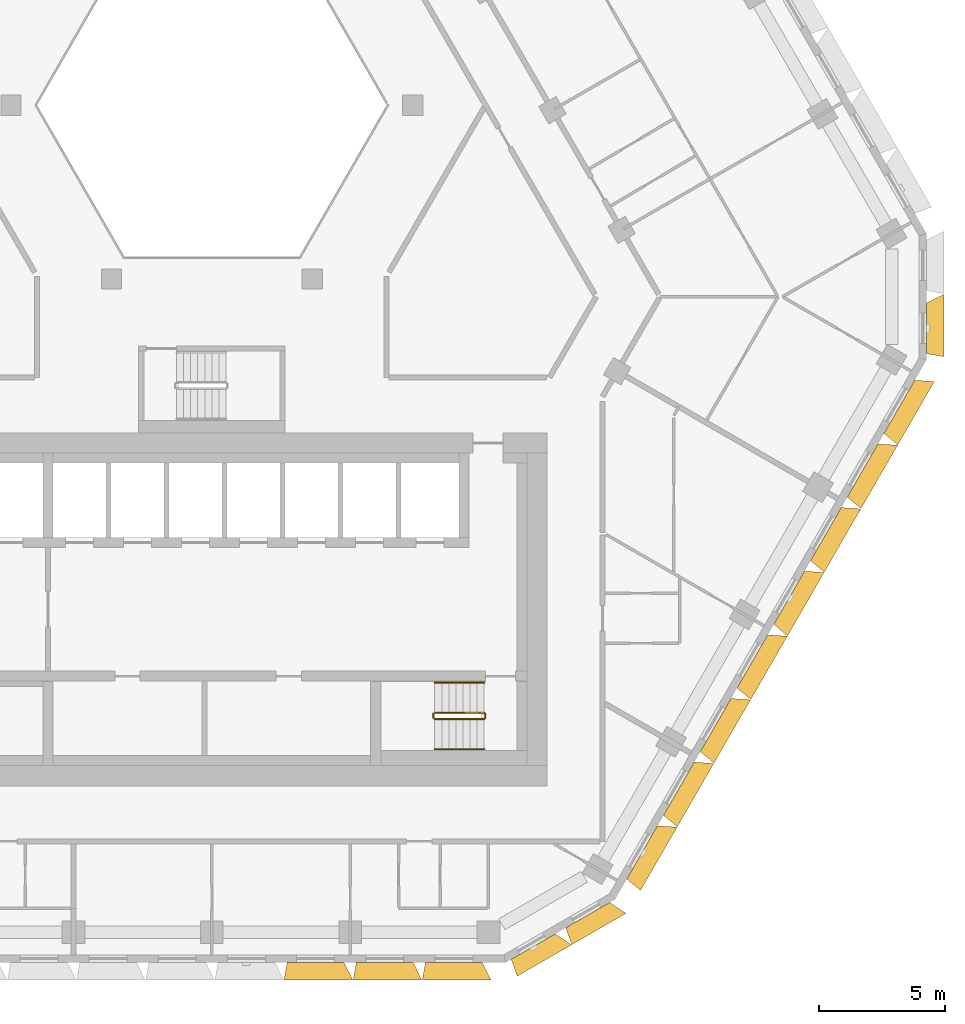
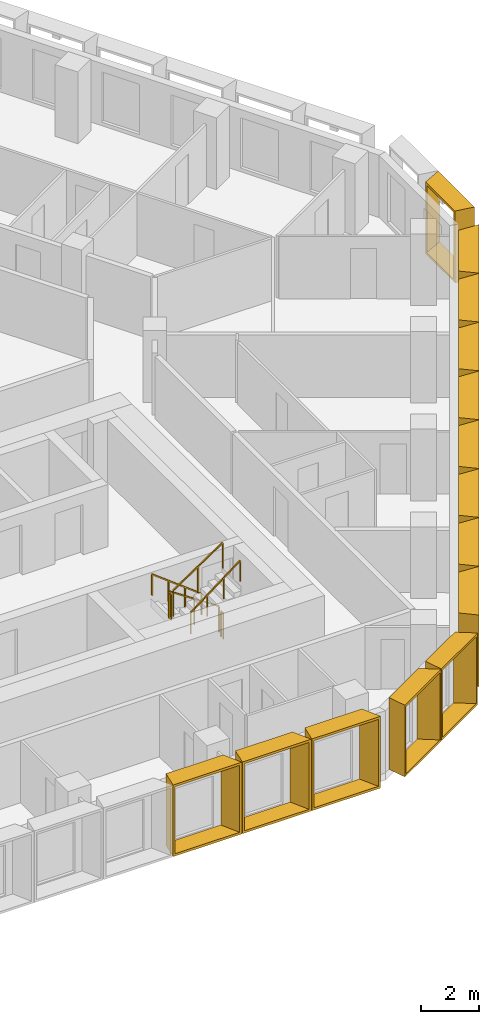
# One storey, part 16 of 17: 14 shading devices, 6 railings.
"""IFC4 building model written with IfcOpenShell, lengths in metres."""

from ifc_helpers import new_model, entity, si_unit, direction, frame, origin, origin_2d, place, context, subcontext, project, spatial, rectangle, extrude, source, transform, mapped, material, type_object, type_shapes, element, save


model = new_model("IFC4")

# Units and contexts
model_context = context("Model", 3, precision=1e-05, world=origin(), true_north=direction((0.0, 1.0)))
body_context = subcontext(model_context, "Body", "Model", "MODEL_VIEW")
ifc_project = project(units=[si_unit("LENGTHUNIT", "METRE"), si_unit("AREAUNIT", "SQUARE_METRE"), si_unit("VOLUMEUNIT", "CUBIC_METRE"), si_unit("PLANEANGLEUNIT", "RADIAN"), si_unit("MASSUNIT", "GRAM", prefix="KILO")], contexts=[model_context])

# Site, building, storey
site_placement = place(None, origin())
site = spatial("IfcSite", under=ifc_project, at=site_placement, CompositionType="ELEMENT")
building_placement = place(site_placement, origin())
building = spatial("IfcBuilding", under=site, at=building_placement, Name="Beryl Residences", CompositionType="ELEMENT")
storey_placement = place(building_placement, frame((0.0, 0.0, 150.60009765625)))
storey = spatial("IfcBuildingStorey", under=building, at=storey_placement, Name="L46", CompositionType="ELEMENT", Elevation=150.60009765625)

# Shading devices
ifc_material_1 = material(Name="Aluminium pale anodised", Category="aluminium")
shading_device_type_1 = type_object("IfcShadingDeviceType", Name="FR250-70C OUTER SKIN frame 700 mm deep, splay 10/26 deg, 2500 x 3000 mm cell", PredefinedType="USERDEFINED", material=ifc_material_1)
cartesian_point_1 = entity("IfcCartesianPoint", [-1.007568359375, 0.0])
cartesian_point_2 = entity("IfcCartesianPoint", [-0.92626953125, 0.10009765625])
cartesian_point_3 = entity("IfcCartesianPoint", [-1.130859375, 0.0])
cartesian_point_4 = entity("IfcCartesianPoint", [-1.0498046875, 0.10009765625])
shared_shape_1 = source(origin(), body_context, "Body", "SweptSolid", [
    entity("IfcExtrudedAreaSolidTapered", entity("IfcArbitraryProfileDefWithVoids", "AREA", None, entity("IfcPolyline", [cartesian_point_1, entity("IfcCartesianPoint", [1.007568359375, 0.0]), entity("IfcCartesianPoint", [1.007568359375, 3.0]), entity("IfcCartesianPoint", [-1.007568359375, 3.0]), cartesian_point_1]), [entity("IfcPolyline", [cartesian_point_2, entity("IfcCartesianPoint", [0.91845703125, 0.10009765625]), entity("IfcCartesianPoint", [0.91845703125, 2.89990234375]), entity("IfcCartesianPoint", [-0.92626953125, 2.89990234375]), cartesian_point_2])]), entity("IfcAxis2Placement3D", entity("IfcCartesianPoint", [0.0, 0.0, 0.0]), entity("IfcDirection", [0.0, 1.0, 0.0]), entity("IfcDirection", [-1.0, 0.0, 0.0])), entity("IfcDirection", [0.0, 0.0, 1.0]), 0.699951171875, entity("IfcArbitraryProfileDefWithVoids", "AREA", None, entity("IfcPolyline", [cartesian_point_3, entity("IfcCartesianPoint", [1.348876953125, 0.0]), entity("IfcCartesianPoint", [1.348876953125, 3.0]), entity("IfcCartesianPoint", [-1.130859375, 3.0]), cartesian_point_3]), [entity("IfcPolyline", [cartesian_point_4, entity("IfcCartesianPoint", [1.260009765625, 0.10009765625]), entity("IfcCartesianPoint", [1.260009765625, 2.89990234375]), entity("IfcCartesianPoint", [-1.0498046875, 2.89990234375]), cartesian_point_4])])),
])
type_shapes(shading_device_type_1, [shared_shape_1])
for number, where, z_axis, x_axis, name in (
    (1, (12.7451171875, -25.375, 0.0), (0.0, 0.0, 1.0), (-0.866025403784, -0.5, 0.0), "FR250-70C frame L46 S-SE 1"),
    (2, (14.909912109375, -24.125, 0.0), (0.0, 0.0, 1.0), (-0.866025403784, -0.5, 0.0), "FR250-70C frame L46 S-SE 2"),
    (3, (28.347900390625, -0.85009765625, 0.0), (0.0, 0.0, 1.0), (0.0, -1.0, 0.0), "FR250-70C frame L46 SE-NE 1"),
):
    element("IfcShadingDevice", number, at=place(storey_placement, frame(where, z_axis=z_axis, x_axis=x_axis)), inside=storey, type_object=shading_device_type_1, Name=name, ObjectType="OUTER SKIN", PredefinedType="USERDEFINED", context=body_context, shape_type="MappedRepresentation", body=[
        mapped(shared_shape_1, transform((0.0, 0.0, 0.0))),
    ])
ifc_material_2 = material(Name="Aluminium pale anodised", Category="aluminium")
shading_device_type_2 = type_object("IfcShadingDeviceType", Name="FR274-70C OUTER SKIN frame 700 mm deep, splay 10/26 deg, 2740 x 3000 mm cell", PredefinedType="USERDEFINED", material=ifc_material_2)
cartesian_point_5 = entity("IfcCartesianPoint", [-1.12744140625, 0.0])
cartesian_point_6 = entity("IfcCartesianPoint", [-1.04638671875, 0.10009765625])
cartesian_point_7 = entity("IfcCartesianPoint", [-1.2509765625, 0.0])
cartesian_point_8 = entity("IfcCartesianPoint", [-1.169677734375, 0.10009765625])
shared_shape_2 = source(origin(), body_context, "Body", "SweptSolid", [
    entity("IfcExtrudedAreaSolidTapered", entity("IfcArbitraryProfileDefWithVoids", "AREA", None, entity("IfcPolyline", [cartesian_point_5, entity("IfcCartesianPoint", [1.12744140625, 0.0]), entity("IfcCartesianPoint", [1.12744140625, 3.0]), entity("IfcCartesianPoint", [-1.12744140625, 3.0]), cartesian_point_5]), [entity("IfcPolyline", [cartesian_point_6, entity("IfcCartesianPoint", [1.03857421875, 0.10009765625]), entity("IfcCartesianPoint", [1.03857421875, 2.89990234375]), entity("IfcCartesianPoint", [-1.04638671875, 2.89990234375]), cartesian_point_6])]), entity("IfcAxis2Placement3D", entity("IfcCartesianPoint", [0.0, 0.0, 0.0]), entity("IfcDirection", [0.0, 1.0, 0.0]), entity("IfcDirection", [-1.0, 0.0, 0.0])), entity("IfcDirection", [0.0, 0.0, 1.0]), 0.699951171875, entity("IfcArbitraryProfileDefWithVoids", "AREA", None, entity("IfcPolyline", [cartesian_point_7, entity("IfcCartesianPoint", [1.468994140625, 0.0]), entity("IfcCartesianPoint", [1.468994140625, 3.0]), entity("IfcCartesianPoint", [-1.2509765625, 3.0]), cartesian_point_7]), [entity("IfcPolyline", [cartesian_point_8, entity("IfcCartesianPoint", [1.3798828125, 0.10009765625]), entity("IfcCartesianPoint", [1.3798828125, 2.89990234375]), entity("IfcCartesianPoint", [-1.169677734375, 2.89990234375]), cartesian_point_8])])),
])
type_shapes(shading_device_type_2, [shared_shape_2])
for number, where, z_axis, x_axis, name in (
    (4, (4.114990234375, -26.0, 0.0), (0.0, 0.0, 1.0), (-1.0, 0.0, 0.0), "FR274-70C frame L46 S 6"),
    (5, (6.85693359375, -26.0, 0.0), (0.0, 0.0, 1.0), (-1.0, 0.0, 0.0), "FR274-70C frame L46 S 7"),
    (6, (9.60009765625, -26.0, 0.0), (0.0, 0.0, 1.0), (-1.0, 0.0, 0.0), "FR274-70C frame L46 S 8"),
):
    element("IfcShadingDevice", number, at=place(storey_placement, frame(where, z_axis=z_axis, x_axis=x_axis)), inside=storey, type_object=shading_device_type_2, Name=name, ObjectType="OUTER SKIN", PredefinedType="USERDEFINED", context=body_context, shape_type="MappedRepresentation", body=[
        mapped(shared_shape_2, transform((0.0, 0.0, 0.0))),
    ])
ifc_material_3 = material(Name="Aluminium pale anodised", Category="aluminium")
shading_device_type_3 = type_object("IfcShadingDeviceType", Name="FR292-70C OUTER SKIN frame 700 mm deep, splay 10/26 deg, 2920 x 3000 mm cell", PredefinedType="USERDEFINED", material=ifc_material_3)
cartesian_point_9 = entity("IfcCartesianPoint", [-1.217529296875, 0.0])
cartesian_point_10 = entity("IfcCartesianPoint", [-1.13623046875, 0.10009765625])
cartesian_point_11 = entity("IfcCartesianPoint", [-1.3408203125, 0.0])
cartesian_point_12 = entity("IfcCartesianPoint", [-1.259765625, 0.10009765625])
shared_shape_3 = source(origin(), body_context, "Body", "SweptSolid", [
    entity("IfcExtrudedAreaSolidTapered", entity("IfcArbitraryProfileDefWithVoids", "AREA", None, entity("IfcPolyline", [cartesian_point_9, entity("IfcCartesianPoint", [1.217529296875, 0.0]), entity("IfcCartesianPoint", [1.217529296875, 3.0]), entity("IfcCartesianPoint", [-1.217529296875, 3.0]), cartesian_point_9]), [entity("IfcPolyline", [cartesian_point_10, entity("IfcCartesianPoint", [1.12841796875, 0.10009765625]), entity("IfcCartesianPoint", [1.12841796875, 2.89990234375]), entity("IfcCartesianPoint", [-1.13623046875, 2.89990234375]), cartesian_point_10])]), entity("IfcAxis2Placement3D", entity("IfcCartesianPoint", [0.0, 0.0, 0.0]), entity("IfcDirection", [0.0, 1.0, 0.0]), entity("IfcDirection", [-1.0, 0.0, 0.0])), entity("IfcDirection", [0.0, 0.0, 1.0]), 0.699951171875, entity("IfcArbitraryProfileDefWithVoids", "AREA", None, entity("IfcPolyline", [cartesian_point_11, entity("IfcCartesianPoint", [1.558837890625, 0.0]), entity("IfcCartesianPoint", [1.558837890625, 3.0]), entity("IfcCartesianPoint", [-1.3408203125, 3.0]), cartesian_point_11]), [entity("IfcPolyline", [cartesian_point_12, entity("IfcCartesianPoint", [1.469970703125, 0.10009765625]), entity("IfcCartesianPoint", [1.469970703125, 2.89990234375]), entity("IfcCartesianPoint", [-1.259765625, 2.89990234375]), cartesian_point_12])])),
])
type_shapes(shading_device_type_3, [shared_shape_3])
for number, where, z_axis, x_axis, name in (
    (7, (17.06689453125, -21.637939453125, 0.0), (0.0, 0.0, 1.0), (-0.5, -0.866025403784, 0.0), "FR292-70C frame L46 SE 1"),
    (8, (18.52490234375, -19.113037109375, 0.0), (0.0, 0.0, 1.0), (-0.5, -0.866025403784, 0.0), "FR292-70C frame L46 SE 2"),
    (9, (19.98291015625, -16.587890625, 0.0), (0.0, 0.0, 1.0), (-0.5, -0.866025403784, 0.0), "FR292-70C frame L46 SE 3"),
    (10, (21.44091796875, -14.06298828125, 0.0), (0.0, 0.0, 1.0), (-0.5, -0.866025403784, 0.0), "FR292-70C frame L46 SE 4"),
    (11, (22.89794921875, -11.5380859375, 0.0), (0.0, 0.0, 1.0), (-0.5, -0.866025403784, 0.0), "FR292-70C frame L46 SE 5"),
    (12, (24.35595703125, -9.013916015625, 0.0), (0.0, 0.0, 1.0), (-0.5, -0.866025403784, 0.0), "FR292-70C frame L46 SE 6"),
    (13, (25.81396484375, -6.489013671875, 0.0), (0.0, 0.0, 1.0), (-0.5, -0.866025403784, 0.0), "FR292-70C frame L46 SE 7"),
    (14, (27.27197265625, -3.964111328125, 0.0), (0.0, 0.0, 1.0), (-0.5, -0.866025403784, 0.0), "FR292-70C frame L46 SE 8"),
):
    element("IfcShadingDevice", number, at=place(storey_placement, frame(where, z_axis=z_axis, x_axis=x_axis)), inside=storey, type_object=shading_device_type_3, Name=name, ObjectType="OUTER SKIN", PredefinedType="USERDEFINED", context=body_context, shape_type="MappedRepresentation", body=[
        mapped(shared_shape_3, transform((0.0, 0.0, 0.0))),
    ])

# Railings
ifc_material_4 = material(Name="Stainless steel balustrade with glass infill", Category="steel")
railing_type_1 = type_object("IfcRailingType", Name="SG1 stair guard 1100 mm", PredefinedType="GUARDRAIL", material=ifc_material_4)
railing_1_placement = place(storey_placement, frame((10.800048828125, -16.10009765625, 0.1875)))
element("IfcRailing", 15, at=railing_1_placement, inside=storey, type_object=railing_type_1, Name="L46 ST-3 stair guard 1", PredefinedType="GUARDRAIL", context=body_context, shape_type="SweptSolid", body=[
    extrude(rectangle(XDim=0.048095703125, YDim=0.048095703125, at=origin_2d()), frame((0.0, 0.0, 1.076171875), z_axis=(-0.830902050051, 0.0, 0.556418712142), x_axis=(0.0, -1.0, 0.0)), (0.0, 0.0, 1.0), 2.35888671875),
    extrude(rectangle(XDim=0.0419921875, YDim=0.0419921875, at=origin_2d()), origin(), (0.0, 0.0, 1.0), 1.052001953125),
    extrude(rectangle(XDim=0.0419921875, YDim=0.0419921875, at=origin_2d()), frame((-0.97998046875, 0.0, 0.65625)), (0.0, 0.0, 1.0), 1.052001953125),
    extrude(rectangle(XDim=0.0419921875, YDim=0.0419921875, at=origin_2d()), frame((-1.9599609375, 0.0, 1.3125)), (0.0, 0.0, 1.0), 1.052001953125),
])
railing_2_placement = place(storey_placement, frame((8.7900390625, -16.14990234375, 1.5)))
element("IfcRailing", 16, at=railing_2_placement, inside=storey, type_object=railing_type_1, Name="L46 ST-3 stair guard 2", PredefinedType="GUARDRAIL", context=body_context, shape_type="SweptSolid", body=[
    extrude(rectangle(XDim=0.048095703125, YDim=0.048095703125, at=origin_2d()), frame((0.0, 0.0, 1.076171875), z_axis=(0.0, -1.0, 0.0), x_axis=(1.0, 0.0, 0.0)), (0.0, 0.0, 1.0), 0.150146484375),
    extrude(rectangle(XDim=0.0419921875, YDim=0.0419921875, at=origin_2d()), origin(), (0.0, 0.0, 1.0), 1.052001953125),
    extrude(rectangle(XDim=0.0419921875, YDim=0.0419921875, at=origin_2d()), frame((0.0, -0.150146484375, 0.0)), (0.0, 0.0, 1.0), 1.052001953125),
])
railing_3_placement = place(storey_placement, frame((8.840087890625, -16.35009765625, 1.6875)))
element("IfcRailing", 17, at=railing_3_placement, inside=storey, type_object=railing_type_1, Name="L46 ST-3 stair guard 3", PredefinedType="GUARDRAIL", context=body_context, shape_type="SweptSolid", body=[
    extrude(rectangle(XDim=0.048095703125, YDim=0.048095703125, at=origin_2d()), frame((0.0, 0.0, 1.076171875), z_axis=(0.830902050051, 0.0, 0.556418712142), x_axis=(0.0, 1.0, 0.0)), (0.0, 0.0, 1.0), 2.35888671875),
    extrude(rectangle(XDim=0.0419921875, YDim=0.0419921875, at=origin_2d()), origin(), (0.0, 0.0, 1.0), 1.052001953125),
    extrude(rectangle(XDim=0.0419921875, YDim=0.0419921875, at=origin_2d()), frame((0.97998046875, 0.0, 0.65625)), (0.0, 0.0, 1.0), 1.052001953125),
    extrude(rectangle(XDim=0.0419921875, YDim=0.0419921875, at=origin_2d()), frame((1.9599609375, 0.0, 1.3125)), (0.0, 0.0, 1.0), 1.052001953125),
])
railing_4_placement = place(storey_placement, frame((10.85009765625, -16.14990234375, 0.0)))
element("IfcRailing", 18, at=railing_4_placement, inside=storey, type_object=railing_type_1, Name="L46 ST-3 stair guard 4", PredefinedType="GUARDRAIL", context=body_context, shape_type="SweptSolid", body=[
    extrude(rectangle(XDim=0.048095703125, YDim=0.048095703125, at=origin_2d()), frame((0.0, 0.0, 1.076171875), z_axis=(0.0, -1.0, 0.0), x_axis=(1.0, 0.0, 0.0)), (0.0, 0.0, 1.0), 0.150146484375),
    extrude(rectangle(XDim=0.0419921875, YDim=0.0419921875, at=origin_2d()), origin(), (0.0, 0.0, 1.0), 1.052001953125),
    extrude(rectangle(XDim=0.0419921875, YDim=0.0419921875, at=origin_2d()), frame((0.0, -0.150146484375, 0.0)), (0.0, 0.0, 1.0), 1.052001953125),
])
ifc_material_5 = material(Name="Stainless steel handrail", Category="steel")
railing_type_2 = type_object("IfcRailingType", Name="SRL1 stair handrail 900 mm", PredefinedType="HANDRAIL", material=ifc_material_5)
railing_5_placement = place(storey_placement, frame((10.800048828125, -14.89990234375, 0.1875)))
element("IfcRailing", 19, at=railing_5_placement, inside=storey, type_object=railing_type_2, Name="L46 ST-3 stair handrail 1", PredefinedType="HANDRAIL", context=body_context, shape_type="SweptSolid", body=[
    extrude(rectangle(XDim=0.048095703125, YDim=0.048095703125, at=origin_2d()), frame((0.0, 0.0, 0.8759765625), z_axis=(-0.794121922505, 0.0, 0.607758481798), x_axis=(0.0, -1.0, 0.0)), (0.0, 0.0, 1.0), 2.468017578125),
    extrude(rectangle(XDim=0.0419921875, YDim=0.0419921875, at=origin_2d()), origin(), (0.0, 0.0, 1.0), 0.851806640625),
    extrude(rectangle(XDim=0.0419921875, YDim=0.0419921875, at=origin_2d()), frame((-0.6533203125, 0.0, 0.5)), (0.0, 0.0, 1.0), 0.851806640625),
    extrude(rectangle(XDim=0.0419921875, YDim=0.0419921875, at=origin_2d()), frame((-1.306640625, 0.0, 1.0)), (0.0, 0.0, 1.0), 0.851806640625),
    extrude(rectangle(XDim=0.0419921875, YDim=0.0419921875, at=origin_2d()), frame((-1.9599609375, 0.0, 1.5)), (0.0, 0.0, 1.0), 0.851806640625),
])
railing_6_placement = place(storey_placement, frame((8.840087890625, -17.550048828125, 1.6875)))
element("IfcRailing", 20, at=railing_6_placement, inside=storey, type_object=railing_type_2, Name="L46 ST-3 stair handrail 2", PredefinedType="HANDRAIL", context=body_context, shape_type="SweptSolid", body=[
    extrude(rectangle(XDim=0.048095703125, YDim=0.048095703125, at=origin_2d()), frame((0.0, 0.0, 0.8759765625), z_axis=(0.794121922505, 0.0, 0.607758481798), x_axis=(0.0, 1.0, 0.0)), (0.0, 0.0, 1.0), 2.468017578125),
    extrude(rectangle(XDim=0.0419921875, YDim=0.0419921875, at=origin_2d()), origin(), (0.0, 0.0, 1.0), 0.851806640625),
    extrude(rectangle(XDim=0.0419921875, YDim=0.0419921875, at=origin_2d()), frame((0.6533203125, 0.0, 0.5)), (0.0, 0.0, 1.0), 0.851806640625),
    extrude(rectangle(XDim=0.0419921875, YDim=0.0419921875, at=origin_2d()), frame((1.306640625, 0.0, 1.0)), (0.0, 0.0, 1.0), 0.851806640625),
    extrude(rectangle(XDim=0.0419921875, YDim=0.0419921875, at=origin_2d()), frame((1.9599609375, 0.0, 1.5)), (0.0, 0.0, 1.0), 0.851806640625),
])

save(model, "model.ifc")
